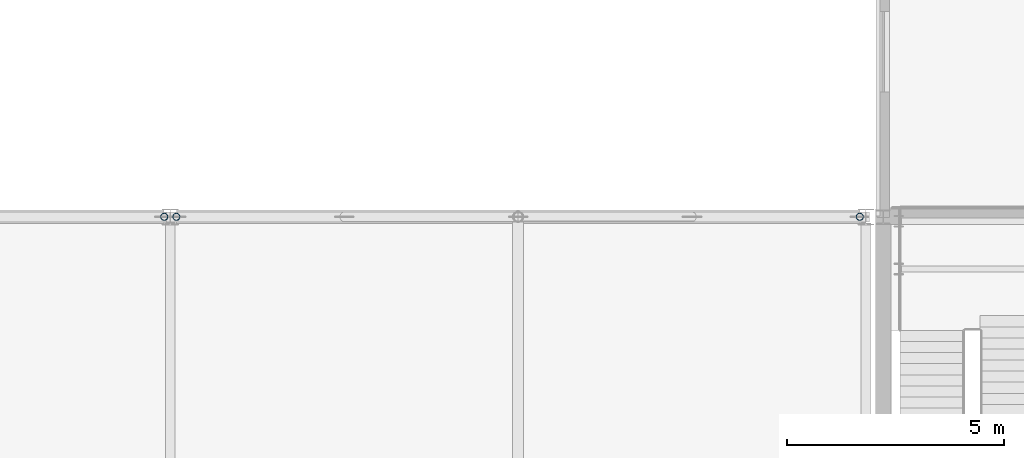
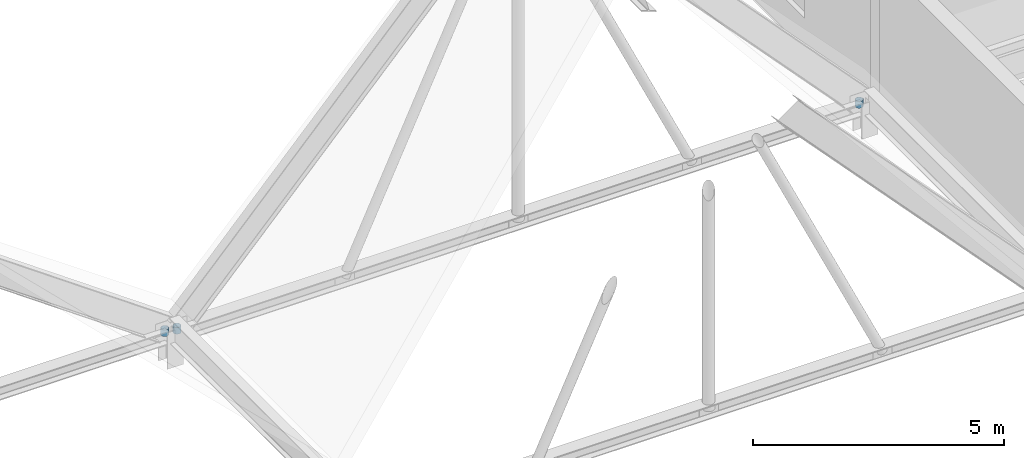
# One storey, part 59 of 85: 3 members.
"""IFC4 building model written with IfcOpenShell, lengths in metres."""

from ifc_helpers import new_model, si_unit, direction, frame, origin, origin_2d, place, context, subcontext, project, spatial, hollow_circle, extrude, material, material_profile, profile_set, type_object, element, save


model = new_model("IFC4")

# Units and contexts
model_context = context("Model", 3, precision=1e-05, world=origin(), true_north=direction((0.0, 1.0)))
body_context = subcontext(model_context, "Body", "Model", "MODEL_VIEW")
ifc_project = project(units=[si_unit("LENGTHUNIT", "METRE"), si_unit("AREAUNIT", "SQUARE_METRE"), si_unit("VOLUMEUNIT", "CUBIC_METRE"), si_unit("PLANEANGLEUNIT", "RADIAN"), si_unit("MASSUNIT", "GRAM", prefix="KILO")], contexts=[model_context])

# Site, building, storey
site_placement = place(None, origin())
site = spatial("IfcSite", under=ifc_project, at=site_placement, CompositionType="ELEMENT")
building_placement = place(site_placement, origin())
building = spatial("IfcBuilding", under=site, at=building_placement, Name="Zulena Civic Courthouse", CompositionType="ELEMENT")
storey_placement = place(building_placement, frame((0.0, 0.0, 25.199951171875)))
storey = spatial("IfcBuildingStorey", under=building, at=storey_placement, Name="L05", CompositionType="ELEMENT", Elevation=25.199951171875)

# Members
ifc_material = material(Name="Steel ASTM A500 Grade C", Category="steel")
ifc_material_profile = material_profile(ifc_material, hollow_circle(Radius=0.083984375, WallThickness=0.00732421875, at=origin_2d()), Name="HSS6.625X0.312")
ifc_profile_set = profile_set([ifc_material_profile], Name="Steel ASTM A500 Grade C")
member_type = type_object("IfcMemberType", Name="RoofWeb_CHS6", PredefinedType="USERDEFINED", material=ifc_profile_set)
member_placement = place(storey_placement, frame((107.860107421875, 38.0, 0.536376953125), z_axis=(0.0, 0.0, 1.0), x_axis=(1.0, 0.0, 0.0)))
element("IfcMember", 1, at=member_placement, inside=storey, type_object=member_type, Name="mem:fold:postE:03:38.0", ObjectType="ROOF TRUSS", PredefinedType="USERDEFINED", context=body_context, shape_type="SweptSolid", body=[
    extrude(hollow_circle(Radius=0.083984375, WallThickness=0.00732421875, at=origin_2d()), origin(), (0.0, 0.0, 1.0), 0.16015625),
])
for number, where, z_axis, x_axis, name in (
    (2, (108.139892578125, 38.0, 0.496337890625), (0.0, 0.0, 1.0), (1.0, 0.0, 0.0), "mem:fold:postW:04:38.0"),
    (3, (123.860107421875, 38.0, 0.496337890625), (0.0, 0.0, 1.0), (1.0, 0.0, 0.0), "mem:fold:postE:04:38.0"),
):
    element("IfcMember", number, at=place(storey_placement, frame(where, z_axis=z_axis, x_axis=x_axis)), inside=storey, type_object=member_type, Name=name, ObjectType="ROOF TRUSS", PredefinedType="USERDEFINED", context=body_context, shape_type="SweptSolid", body=[
        extrude(hollow_circle(Radius=0.083984375, WallThickness=0.00732421875, at=origin_2d()), origin(), (0.0, 0.0, 1.0), 0.159912109375),
    ])

save(model, "model.ifc")
